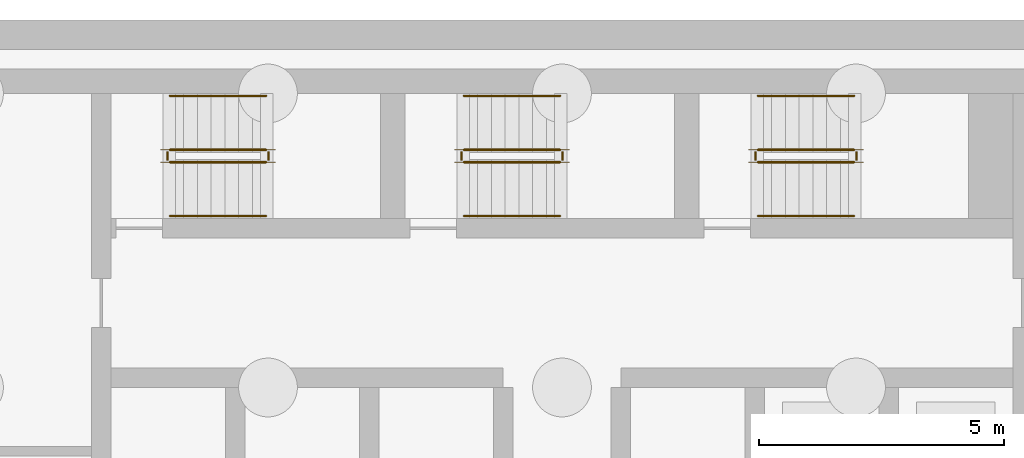
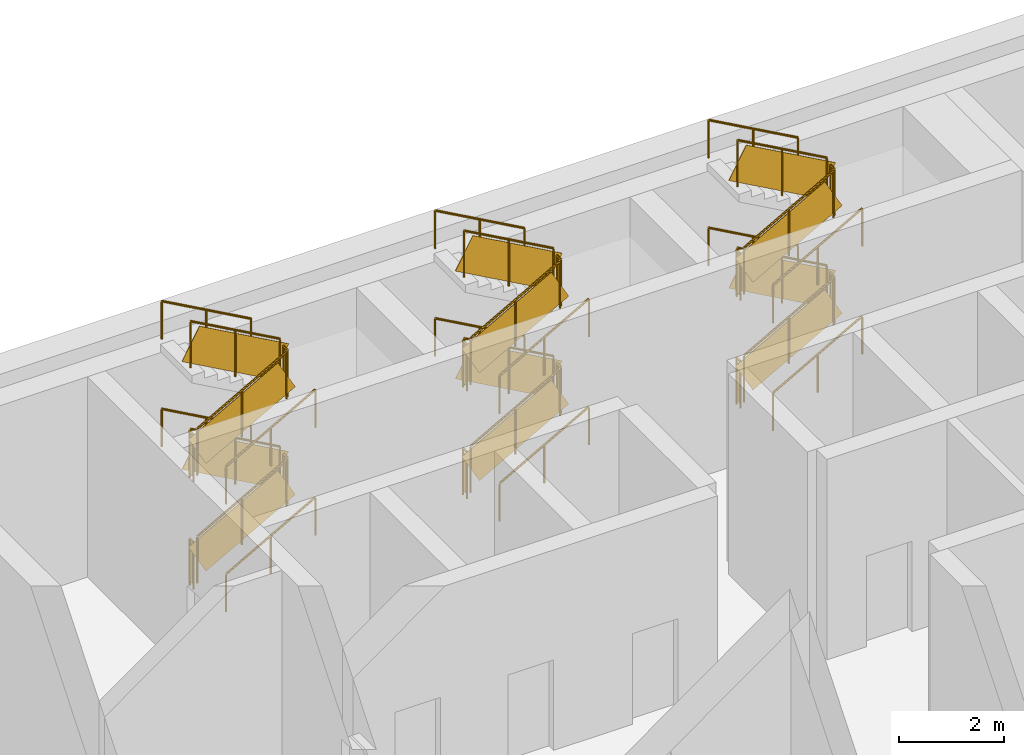
# One storey, part 13 of 14: 36 railings.
"""IFC4 building model written with IfcOpenShell, lengths in metres."""

from ifc_helpers import new_model, si_unit, direction, frame, origin, origin_2d, place, context, subcontext, project, spatial, rectangle, circle, extrude, material, type_object, element, save


model = new_model("IFC4")

# Units and contexts
model_context = context("Model", 3, precision=1e-05, world=origin(), true_north=direction((0.0, 1.0)))
body_context = subcontext(model_context, "Body", "Model", "MODEL_VIEW")
ifc_project = project(units=[si_unit("LENGTHUNIT", "METRE"), si_unit("AREAUNIT", "SQUARE_METRE"), si_unit("VOLUMEUNIT", "CUBIC_METRE"), si_unit("PLANEANGLEUNIT", "RADIAN"), si_unit("MASSUNIT", "GRAM", prefix="KILO")], contexts=[model_context])

# Site, building, storey
site_placement = place(None, origin())
site = spatial("IfcSite", under=ifc_project, at=site_placement, CompositionType="ELEMENT")
building_placement = place(site_placement, origin())
building = spatial("IfcBuilding", under=site, at=building_placement, Name="Vidyagriha Tower", CompositionType="ELEMENT")
storey_placement = place(building_placement, frame((0.0, 0.0, -10.0)))
storey = spatial("IfcBuildingStorey", under=building, at=storey_placement, Name="B2", CompositionType="ELEMENT", Elevation=-10.0)

# Railings
ifc_material_1 = material(Name="Steel ASTM A500 Grade C", Category="steel")
railing_type_1 = type_object("IfcRailingType", Name="Stair guard 1100 mm, steel balustrade", PredefinedType="GUARDRAIL", material=ifc_material_1)
railing_1_placement = place(storey_placement, frame((-8.0, 18.10009765625, 0.15625)))
element("IfcRailing", 1, at=railing_1_placement, inside=storey, type_object=railing_type_1, Name="B2 ST1 stair guard 1", PredefinedType="GUARDRAIL", context=body_context, shape_type="SweptSolid", body=[
    extrude(circle(Radius=0.02392578125, at=origin_2d()), frame((0.0, 0.0, 1.076171875), z_axis=(0.873232148454, 0.0, 0.487304437602), x_axis=(0.0, 1.0, 0.0)), (0.0, 0.0, 1.0), 2.244384765625),
    extrude(circle(Radius=0.02099609375, at=origin_2d()), origin(), (0.0, 0.0, 1.0), 1.052001953125),
    extrude(circle(Radius=0.02099609375, at=origin_2d()), frame((0.97998046875, 0.0, 0.546875)), (0.0, 0.0, 1.0), 1.052001953125),
    extrude(circle(Radius=0.02099609375, at=origin_2d()), frame((1.9599609375, 0.0, 1.09375)), (0.0, 0.0, 1.0), 1.052001953125),
    extrude(rectangle(XDim=0.010009765625, YDim=0.78759765625, at=origin_2d()), frame((0.0, 0.0, 0.551025390625), z_axis=(0.873232148454, 0.0, 0.487304437602), x_axis=(0.0, 1.0, 0.0)), (0.0, 0.0, 1.0), 2.244384765625),
])
railing_2_placement = place(storey_placement, frame((-5.989990234375, 18.14990234375, 1.25)))
element("IfcRailing", 2, at=railing_2_placement, inside=storey, type_object=railing_type_1, Name="B2 ST1 stair guard 2", PredefinedType="GUARDRAIL", context=body_context, shape_type="SweptSolid", body=[
    extrude(circle(Radius=0.02392578125, at=origin_2d()), frame((0.0, 0.0, 1.076171875), z_axis=(0.0, 1.0, 0.0), x_axis=(-1.0, 0.0, 0.0)), (0.0, 0.0, 1.0), 0.150146484375),
    extrude(circle(Radius=0.02099609375, at=origin_2d()), origin(), (0.0, 0.0, 1.0), 1.052001953125),
    extrude(circle(Radius=0.02099609375, at=origin_2d()), frame((0.0, 0.150146484375, 0.0)), (0.0, 0.0, 1.0), 1.052001953125),
    extrude(rectangle(XDim=0.010009765625, YDim=0.902099609375, at=origin_2d()), frame((0.0, 0.0, 0.551025390625), z_axis=(0.0, 1.0, 0.0), x_axis=(-1.0, 0.0, 0.0)), (0.0, 0.0, 1.0), 0.150146484375),
])
railing_3_placement = place(storey_placement, frame((-6.0400390625, 18.35009765625, 1.40625)))
element("IfcRailing", 3, at=railing_3_placement, inside=storey, type_object=railing_type_1, Name="B2 ST1 stair guard 3", PredefinedType="GUARDRAIL", context=body_context, shape_type="SweptSolid", body=[
    extrude(circle(Radius=0.02392578125, at=origin_2d()), frame((0.0, 0.0, 1.076171875), z_axis=(-0.873232148454, 0.0, 0.487304437602), x_axis=(0.0, -1.0, 0.0)), (0.0, 0.0, 1.0), 2.244384765625),
    extrude(circle(Radius=0.02099609375, at=origin_2d()), origin(), (0.0, 0.0, 1.0), 1.052001953125),
    extrude(circle(Radius=0.02099609375, at=origin_2d()), frame((-0.97998046875, 0.0, 0.546875)), (0.0, 0.0, 1.0), 1.052001953125),
    extrude(circle(Radius=0.02099609375, at=origin_2d()), frame((-1.9599609375, 0.0, 1.09375)), (0.0, 0.0, 1.0), 1.052001953125),
    extrude(rectangle(XDim=0.010009765625, YDim=0.78759765625, at=origin_2d()), frame((0.0, 0.0, 0.551025390625), z_axis=(-0.873232148454, 0.0, 0.487304437602), x_axis=(0.0, -1.0, 0.0)), (0.0, 0.0, 1.0), 2.244384765625),
])
railing_4_placement = place(storey_placement, frame((-8.050048828125, 18.14990234375, 2.5)))
element("IfcRailing", 4, at=railing_4_placement, inside=storey, type_object=railing_type_1, Name="B2 ST1 stair guard 4", PredefinedType="GUARDRAIL", context=body_context, shape_type="SweptSolid", body=[
    extrude(circle(Radius=0.02392578125, at=origin_2d()), frame((0.0, 0.0, 1.076171875), z_axis=(0.0, 1.0, 0.0), x_axis=(-1.0, 0.0, 0.0)), (0.0, 0.0, 1.0), 0.150146484375),
    extrude(circle(Radius=0.02099609375, at=origin_2d()), origin(), (0.0, 0.0, 1.0), 1.052001953125),
    extrude(circle(Radius=0.02099609375, at=origin_2d()), frame((0.0, 0.150146484375, 0.0)), (0.0, 0.0, 1.0), 1.052001953125),
    extrude(rectangle(XDim=0.010009765625, YDim=0.902099609375, at=origin_2d()), frame((0.0, 0.0, 0.551025390625), z_axis=(0.0, 1.0, 0.0), x_axis=(-1.0, 0.0, 0.0)), (0.0, 0.0, 1.0), 0.150146484375),
])
railing_5_placement = place(storey_placement, frame((-8.0, 18.10009765625, 2.65625)))
element("IfcRailing", 5, at=railing_5_placement, inside=storey, type_object=railing_type_1, Name="B2 ST1 stair guard 5", PredefinedType="GUARDRAIL", context=body_context, shape_type="SweptSolid", body=[
    extrude(circle(Radius=0.02392578125, at=origin_2d()), frame((0.0, 0.0, 1.076171875), z_axis=(0.873232148454, 0.0, 0.487304437602), x_axis=(0.0, 1.0, 0.0)), (0.0, 0.0, 1.0), 2.244384765625),
    extrude(circle(Radius=0.02099609375, at=origin_2d()), origin(), (0.0, 0.0, 1.0), 1.052001953125),
    extrude(circle(Radius=0.02099609375, at=origin_2d()), frame((0.97998046875, 0.0, 0.546875)), (0.0, 0.0, 1.0), 1.052001953125),
    extrude(circle(Radius=0.02099609375, at=origin_2d()), frame((1.9599609375, 0.0, 1.09375)), (0.0, 0.0, 1.0), 1.052001953125),
    extrude(rectangle(XDim=0.010009765625, YDim=0.78759765625, at=origin_2d()), frame((0.0, 0.0, 0.551025390625), z_axis=(0.873232148454, 0.0, 0.487304437602), x_axis=(0.0, 1.0, 0.0)), (0.0, 0.0, 1.0), 2.244384765625),
])
railing_6_placement = place(storey_placement, frame((-5.989990234375, 18.14990234375, 3.75)))
element("IfcRailing", 6, at=railing_6_placement, inside=storey, type_object=railing_type_1, Name="B2 ST1 stair guard 6", PredefinedType="GUARDRAIL", context=body_context, shape_type="SweptSolid", body=[
    extrude(circle(Radius=0.02392578125, at=origin_2d()), frame((0.0, 0.0, 1.076171875), z_axis=(0.0, 1.0, 0.0), x_axis=(-1.0, 0.0, 0.0)), (0.0, 0.0, 1.0), 0.150146484375),
    extrude(circle(Radius=0.02099609375, at=origin_2d()), origin(), (0.0, 0.0, 1.0), 1.052001953125),
    extrude(circle(Radius=0.02099609375, at=origin_2d()), frame((0.0, 0.150146484375, 0.0)), (0.0, 0.0, 1.0), 1.052001953125),
    extrude(rectangle(XDim=0.010009765625, YDim=0.902099609375, at=origin_2d()), frame((0.0, 0.0, 0.551025390625), z_axis=(0.0, 1.0, 0.0), x_axis=(-1.0, 0.0, 0.0)), (0.0, 0.0, 1.0), 0.150146484375),
])
railing_7_placement = place(storey_placement, frame((-6.0400390625, 18.35009765625, 3.90625)))
element("IfcRailing", 7, at=railing_7_placement, inside=storey, type_object=railing_type_1, Name="B2 ST1 stair guard 7", PredefinedType="GUARDRAIL", context=body_context, shape_type="SweptSolid", body=[
    extrude(circle(Radius=0.02392578125, at=origin_2d()), frame((0.0, 0.0, 1.076171875), z_axis=(-0.873232148454, 0.0, 0.487304437602), x_axis=(0.0, -1.0, 0.0)), (0.0, 0.0, 1.0), 2.244384765625),
    extrude(circle(Radius=0.02099609375, at=origin_2d()), origin(), (0.0, 0.0, 1.0), 1.052001953125),
    extrude(circle(Radius=0.02099609375, at=origin_2d()), frame((-0.97998046875, 0.0, 0.546875)), (0.0, 0.0, 1.0), 1.052001953125),
    extrude(circle(Radius=0.02099609375, at=origin_2d()), frame((-1.9599609375, 0.0, 1.09375)), (0.0, 0.0, 1.0), 1.052001953125),
    extrude(rectangle(XDim=0.010009765625, YDim=0.78759765625, at=origin_2d()), frame((0.0, 0.0, 0.551025390625), z_axis=(-0.873232148454, 0.0, 0.487304437602), x_axis=(0.0, -1.0, 0.0)), (0.0, 0.0, 1.0), 2.244384765625),
])
railing_8_placement = place(storey_placement, frame((-8.050048828125, 18.14990234375, 0.0)))
element("IfcRailing", 8, at=railing_8_placement, inside=storey, type_object=railing_type_1, Name="B2 ST1 stair guard 8", PredefinedType="GUARDRAIL", context=body_context, shape_type="SweptSolid", body=[
    extrude(circle(Radius=0.02392578125, at=origin_2d()), frame((0.0, 0.0, 1.076171875), z_axis=(0.0, 1.0, 0.0), x_axis=(-1.0, 0.0, 0.0)), (0.0, 0.0, 1.0), 0.150146484375),
    extrude(circle(Radius=0.02099609375, at=origin_2d()), origin(), (0.0, 0.0, 1.0), 1.052001953125),
    extrude(circle(Radius=0.02099609375, at=origin_2d()), frame((0.0, 0.150146484375, 0.0)), (0.0, 0.0, 1.0), 1.052001953125),
    extrude(rectangle(XDim=0.010009765625, YDim=0.902099609375, at=origin_2d()), frame((0.0, 0.0, 0.551025390625), z_axis=(0.0, 1.0, 0.0), x_axis=(-1.0, 0.0, 0.0)), (0.0, 0.0, 1.0), 0.150146484375),
])
railing_9_placement = place(storey_placement, frame((-2.0, 18.10009765625, 0.15625)))
element("IfcRailing", 9, at=railing_9_placement, inside=storey, type_object=railing_type_1, Name="B2 ST2 stair guard 1", PredefinedType="GUARDRAIL", context=body_context, shape_type="SweptSolid", body=[
    extrude(circle(Radius=0.02392578125, at=origin_2d()), frame((0.0, 0.0, 1.076171875), z_axis=(0.873232148454, 0.0, 0.487304437602), x_axis=(0.0, 1.0, 0.0)), (0.0, 0.0, 1.0), 2.244384765625),
    extrude(circle(Radius=0.02099609375, at=origin_2d()), origin(), (0.0, 0.0, 1.0), 1.052001953125),
    extrude(circle(Radius=0.02099609375, at=origin_2d()), frame((0.97998046875, 0.0, 0.546875)), (0.0, 0.0, 1.0), 1.052001953125),
    extrude(circle(Radius=0.02099609375, at=origin_2d()), frame((1.9599609375, 0.0, 1.09375)), (0.0, 0.0, 1.0), 1.052001953125),
    extrude(rectangle(XDim=0.010009765625, YDim=0.78759765625, at=origin_2d()), frame((0.0, 0.0, 0.551025390625), z_axis=(0.873232148454, 0.0, 0.487304437602), x_axis=(0.0, 1.0, 0.0)), (0.0, 0.0, 1.0), 2.244384765625),
])
railing_10_placement = place(storey_placement, frame((0.010009765625, 18.14990234375, 1.25)))
element("IfcRailing", 10, at=railing_10_placement, inside=storey, type_object=railing_type_1, Name="B2 ST2 stair guard 2", PredefinedType="GUARDRAIL", context=body_context, shape_type="SweptSolid", body=[
    extrude(circle(Radius=0.02392578125, at=origin_2d()), frame((0.0, 0.0, 1.076171875), z_axis=(0.0, 1.0, 0.0), x_axis=(-1.0, 0.0, 0.0)), (0.0, 0.0, 1.0), 0.150146484375),
    extrude(circle(Radius=0.02099609375, at=origin_2d()), origin(), (0.0, 0.0, 1.0), 1.052001953125),
    extrude(circle(Radius=0.02099609375, at=origin_2d()), frame((0.0, 0.150146484375, 0.0)), (0.0, 0.0, 1.0), 1.052001953125),
    extrude(rectangle(XDim=0.010009765625, YDim=0.902099609375, at=origin_2d()), frame((0.0, 0.0, 0.551025390625), z_axis=(0.0, 1.0, 0.0), x_axis=(-1.0, 0.0, 0.0)), (0.0, 0.0, 1.0), 0.150146484375),
])
railing_11_placement = place(storey_placement, frame((-0.0400390625, 18.35009765625, 1.40625)))
element("IfcRailing", 11, at=railing_11_placement, inside=storey, type_object=railing_type_1, Name="B2 ST2 stair guard 3", PredefinedType="GUARDRAIL", context=body_context, shape_type="SweptSolid", body=[
    extrude(circle(Radius=0.02392578125, at=origin_2d()), frame((0.0, 0.0, 1.076171875), z_axis=(-0.873232148454, 0.0, 0.487304437602), x_axis=(0.0, -1.0, 0.0)), (0.0, 0.0, 1.0), 2.244384765625),
    extrude(circle(Radius=0.02099609375, at=origin_2d()), origin(), (0.0, 0.0, 1.0), 1.052001953125),
    extrude(circle(Radius=0.02099609375, at=origin_2d()), frame((-0.97998046875, 0.0, 0.546875)), (0.0, 0.0, 1.0), 1.052001953125),
    extrude(circle(Radius=0.02099609375, at=origin_2d()), frame((-1.9599609375, 0.0, 1.09375)), (0.0, 0.0, 1.0), 1.052001953125),
    extrude(rectangle(XDim=0.010009765625, YDim=0.78759765625, at=origin_2d()), frame((0.0, 0.0, 0.551025390625), z_axis=(-0.873232148454, 0.0, 0.487304437602), x_axis=(0.0, -1.0, 0.0)), (0.0, 0.0, 1.0), 2.244384765625),
])
railing_12_placement = place(storey_placement, frame((-2.050048828125, 18.14990234375, 2.5)))
element("IfcRailing", 12, at=railing_12_placement, inside=storey, type_object=railing_type_1, Name="B2 ST2 stair guard 4", PredefinedType="GUARDRAIL", context=body_context, shape_type="SweptSolid", body=[
    extrude(circle(Radius=0.02392578125, at=origin_2d()), frame((0.0, 0.0, 1.076171875), z_axis=(0.0, 1.0, 0.0), x_axis=(-1.0, 0.0, 0.0)), (0.0, 0.0, 1.0), 0.150146484375),
    extrude(circle(Radius=0.02099609375, at=origin_2d()), origin(), (0.0, 0.0, 1.0), 1.052001953125),
    extrude(circle(Radius=0.02099609375, at=origin_2d()), frame((0.0, 0.150146484375, 0.0)), (0.0, 0.0, 1.0), 1.052001953125),
    extrude(rectangle(XDim=0.010009765625, YDim=0.902099609375, at=origin_2d()), frame((0.0, 0.0, 0.551025390625), z_axis=(0.0, 1.0, 0.0), x_axis=(-1.0, 0.0, 0.0)), (0.0, 0.0, 1.0), 0.150146484375),
])
railing_13_placement = place(storey_placement, frame((-2.0, 18.10009765625, 2.65625)))
element("IfcRailing", 13, at=railing_13_placement, inside=storey, type_object=railing_type_1, Name="B2 ST2 stair guard 5", PredefinedType="GUARDRAIL", context=body_context, shape_type="SweptSolid", body=[
    extrude(circle(Radius=0.02392578125, at=origin_2d()), frame((0.0, 0.0, 1.076171875), z_axis=(0.873232148454, 0.0, 0.487304437602), x_axis=(0.0, 1.0, 0.0)), (0.0, 0.0, 1.0), 2.244384765625),
    extrude(circle(Radius=0.02099609375, at=origin_2d()), origin(), (0.0, 0.0, 1.0), 1.052001953125),
    extrude(circle(Radius=0.02099609375, at=origin_2d()), frame((0.97998046875, 0.0, 0.546875)), (0.0, 0.0, 1.0), 1.052001953125),
    extrude(circle(Radius=0.02099609375, at=origin_2d()), frame((1.9599609375, 0.0, 1.09375)), (0.0, 0.0, 1.0), 1.052001953125),
    extrude(rectangle(XDim=0.010009765625, YDim=0.78759765625, at=origin_2d()), frame((0.0, 0.0, 0.551025390625), z_axis=(0.873232148454, 0.0, 0.487304437602), x_axis=(0.0, 1.0, 0.0)), (0.0, 0.0, 1.0), 2.244384765625),
])
railing_14_placement = place(storey_placement, frame((0.010009765625, 18.14990234375, 3.75)))
element("IfcRailing", 14, at=railing_14_placement, inside=storey, type_object=railing_type_1, Name="B2 ST2 stair guard 6", PredefinedType="GUARDRAIL", context=body_context, shape_type="SweptSolid", body=[
    extrude(circle(Radius=0.02392578125, at=origin_2d()), frame((0.0, 0.0, 1.076171875), z_axis=(0.0, 1.0, 0.0), x_axis=(-1.0, 0.0, 0.0)), (0.0, 0.0, 1.0), 0.150146484375),
    extrude(circle(Radius=0.02099609375, at=origin_2d()), origin(), (0.0, 0.0, 1.0), 1.052001953125),
    extrude(circle(Radius=0.02099609375, at=origin_2d()), frame((0.0, 0.150146484375, 0.0)), (0.0, 0.0, 1.0), 1.052001953125),
    extrude(rectangle(XDim=0.010009765625, YDim=0.902099609375, at=origin_2d()), frame((0.0, 0.0, 0.551025390625), z_axis=(0.0, 1.0, 0.0), x_axis=(-1.0, 0.0, 0.0)), (0.0, 0.0, 1.0), 0.150146484375),
])
railing_15_placement = place(storey_placement, frame((-0.0400390625, 18.35009765625, 3.90625)))
element("IfcRailing", 15, at=railing_15_placement, inside=storey, type_object=railing_type_1, Name="B2 ST2 stair guard 7", PredefinedType="GUARDRAIL", context=body_context, shape_type="SweptSolid", body=[
    extrude(circle(Radius=0.02392578125, at=origin_2d()), frame((0.0, 0.0, 1.076171875), z_axis=(-0.873232148454, 0.0, 0.487304437602), x_axis=(0.0, -1.0, 0.0)), (0.0, 0.0, 1.0), 2.244384765625),
    extrude(circle(Radius=0.02099609375, at=origin_2d()), origin(), (0.0, 0.0, 1.0), 1.052001953125),
    extrude(circle(Radius=0.02099609375, at=origin_2d()), frame((-0.97998046875, 0.0, 0.546875)), (0.0, 0.0, 1.0), 1.052001953125),
    extrude(circle(Radius=0.02099609375, at=origin_2d()), frame((-1.9599609375, 0.0, 1.09375)), (0.0, 0.0, 1.0), 1.052001953125),
    extrude(rectangle(XDim=0.010009765625, YDim=0.78759765625, at=origin_2d()), frame((0.0, 0.0, 0.551025390625), z_axis=(-0.873232148454, 0.0, 0.487304437602), x_axis=(0.0, -1.0, 0.0)), (0.0, 0.0, 1.0), 2.244384765625),
])
railing_16_placement = place(storey_placement, frame((-2.050048828125, 18.14990234375, 0.0)))
element("IfcRailing", 16, at=railing_16_placement, inside=storey, type_object=railing_type_1, Name="B2 ST2 stair guard 8", PredefinedType="GUARDRAIL", context=body_context, shape_type="SweptSolid", body=[
    extrude(circle(Radius=0.02392578125, at=origin_2d()), frame((0.0, 0.0, 1.076171875), z_axis=(0.0, 1.0, 0.0), x_axis=(-1.0, 0.0, 0.0)), (0.0, 0.0, 1.0), 0.150146484375),
    extrude(circle(Radius=0.02099609375, at=origin_2d()), origin(), (0.0, 0.0, 1.0), 1.052001953125),
    extrude(circle(Radius=0.02099609375, at=origin_2d()), frame((0.0, 0.150146484375, 0.0)), (0.0, 0.0, 1.0), 1.052001953125),
    extrude(rectangle(XDim=0.010009765625, YDim=0.902099609375, at=origin_2d()), frame((0.0, 0.0, 0.551025390625), z_axis=(0.0, 1.0, 0.0), x_axis=(-1.0, 0.0, 0.0)), (0.0, 0.0, 1.0), 0.150146484375),
])
railing_17_placement = place(storey_placement, frame((4.0, 18.10009765625, 0.15625)))
element("IfcRailing", 17, at=railing_17_placement, inside=storey, type_object=railing_type_1, Name="B2 ST3 stair guard 1", PredefinedType="GUARDRAIL", context=body_context, shape_type="SweptSolid", body=[
    extrude(circle(Radius=0.02392578125, at=origin_2d()), frame((0.0, 0.0, 1.076171875), z_axis=(0.873232148454, 0.0, 0.487304437602), x_axis=(0.0, 1.0, 0.0)), (0.0, 0.0, 1.0), 2.244384765625),
    extrude(circle(Radius=0.02099609375, at=origin_2d()), origin(), (0.0, 0.0, 1.0), 1.052001953125),
    extrude(circle(Radius=0.02099609375, at=origin_2d()), frame((0.97998046875, 0.0, 0.546875)), (0.0, 0.0, 1.0), 1.052001953125),
    extrude(circle(Radius=0.02099609375, at=origin_2d()), frame((1.9599609375, 0.0, 1.09375)), (0.0, 0.0, 1.0), 1.052001953125),
    extrude(rectangle(XDim=0.010009765625, YDim=0.78759765625, at=origin_2d()), frame((0.0, 0.0, 0.551025390625), z_axis=(0.873232148454, 0.0, 0.487304437602), x_axis=(0.0, 1.0, 0.0)), (0.0, 0.0, 1.0), 2.244384765625),
])
railing_18_placement = place(storey_placement, frame((6.010009765625, 18.14990234375, 1.25)))
element("IfcRailing", 18, at=railing_18_placement, inside=storey, type_object=railing_type_1, Name="B2 ST3 stair guard 2", PredefinedType="GUARDRAIL", context=body_context, shape_type="SweptSolid", body=[
    extrude(circle(Radius=0.02392578125, at=origin_2d()), frame((0.0, 0.0, 1.076171875), z_axis=(0.0, 1.0, 0.0), x_axis=(-1.0, 0.0, 0.0)), (0.0, 0.0, 1.0), 0.150146484375),
    extrude(circle(Radius=0.02099609375, at=origin_2d()), origin(), (0.0, 0.0, 1.0), 1.052001953125),
    extrude(circle(Radius=0.02099609375, at=origin_2d()), frame((0.0, 0.150146484375, 0.0)), (0.0, 0.0, 1.0), 1.052001953125),
    extrude(rectangle(XDim=0.010009765625, YDim=0.902099609375, at=origin_2d()), frame((0.0, 0.0, 0.551025390625), z_axis=(0.0, 1.0, 0.0), x_axis=(-1.0, 0.0, 0.0)), (0.0, 0.0, 1.0), 0.150146484375),
])
railing_19_placement = place(storey_placement, frame((5.9599609375, 18.35009765625, 1.40625)))
element("IfcRailing", 19, at=railing_19_placement, inside=storey, type_object=railing_type_1, Name="B2 ST3 stair guard 3", PredefinedType="GUARDRAIL", context=body_context, shape_type="SweptSolid", body=[
    extrude(circle(Radius=0.02392578125, at=origin_2d()), frame((0.0, 0.0, 1.076171875), z_axis=(-0.873232148454, 0.0, 0.487304437602), x_axis=(0.0, -1.0, 0.0)), (0.0, 0.0, 1.0), 2.244384765625),
    extrude(circle(Radius=0.02099609375, at=origin_2d()), origin(), (0.0, 0.0, 1.0), 1.052001953125),
    extrude(circle(Radius=0.02099609375, at=origin_2d()), frame((-0.97998046875, 0.0, 0.546875)), (0.0, 0.0, 1.0), 1.052001953125),
    extrude(circle(Radius=0.02099609375, at=origin_2d()), frame((-1.9599609375, 0.0, 1.09375)), (0.0, 0.0, 1.0), 1.052001953125),
    extrude(rectangle(XDim=0.010009765625, YDim=0.78759765625, at=origin_2d()), frame((0.0, 0.0, 0.551025390625), z_axis=(-0.873232148454, 0.0, 0.487304437602), x_axis=(0.0, -1.0, 0.0)), (0.0, 0.0, 1.0), 2.244384765625),
])
railing_20_placement = place(storey_placement, frame((3.949951171875, 18.14990234375, 2.5)))
element("IfcRailing", 20, at=railing_20_placement, inside=storey, type_object=railing_type_1, Name="B2 ST3 stair guard 4", PredefinedType="GUARDRAIL", context=body_context, shape_type="SweptSolid", body=[
    extrude(circle(Radius=0.02392578125, at=origin_2d()), frame((0.0, 0.0, 1.076171875), z_axis=(0.0, 1.0, 0.0), x_axis=(-1.0, 0.0, 0.0)), (0.0, 0.0, 1.0), 0.150146484375),
    extrude(circle(Radius=0.02099609375, at=origin_2d()), origin(), (0.0, 0.0, 1.0), 1.052001953125),
    extrude(circle(Radius=0.02099609375, at=origin_2d()), frame((0.0, 0.150146484375, 0.0)), (0.0, 0.0, 1.0), 1.052001953125),
    extrude(rectangle(XDim=0.010009765625, YDim=0.902099609375, at=origin_2d()), frame((0.0, 0.0, 0.551025390625), z_axis=(0.0, 1.0, 0.0), x_axis=(-1.0, 0.0, 0.0)), (0.0, 0.0, 1.0), 0.150146484375),
])
railing_21_placement = place(storey_placement, frame((4.0, 18.10009765625, 2.65625)))
element("IfcRailing", 21, at=railing_21_placement, inside=storey, type_object=railing_type_1, Name="B2 ST3 stair guard 5", PredefinedType="GUARDRAIL", context=body_context, shape_type="SweptSolid", body=[
    extrude(circle(Radius=0.02392578125, at=origin_2d()), frame((0.0, 0.0, 1.076171875), z_axis=(0.873232148454, 0.0, 0.487304437602), x_axis=(0.0, 1.0, 0.0)), (0.0, 0.0, 1.0), 2.244384765625),
    extrude(circle(Radius=0.02099609375, at=origin_2d()), origin(), (0.0, 0.0, 1.0), 1.052001953125),
    extrude(circle(Radius=0.02099609375, at=origin_2d()), frame((0.97998046875, 0.0, 0.546875)), (0.0, 0.0, 1.0), 1.052001953125),
    extrude(circle(Radius=0.02099609375, at=origin_2d()), frame((1.9599609375, 0.0, 1.09375)), (0.0, 0.0, 1.0), 1.052001953125),
    extrude(rectangle(XDim=0.010009765625, YDim=0.78759765625, at=origin_2d()), frame((0.0, 0.0, 0.551025390625), z_axis=(0.873232148454, 0.0, 0.487304437602), x_axis=(0.0, 1.0, 0.0)), (0.0, 0.0, 1.0), 2.244384765625),
])
railing_22_placement = place(storey_placement, frame((6.010009765625, 18.14990234375, 3.75)))
element("IfcRailing", 22, at=railing_22_placement, inside=storey, type_object=railing_type_1, Name="B2 ST3 stair guard 6", PredefinedType="GUARDRAIL", context=body_context, shape_type="SweptSolid", body=[
    extrude(circle(Radius=0.02392578125, at=origin_2d()), frame((0.0, 0.0, 1.076171875), z_axis=(0.0, 1.0, 0.0), x_axis=(-1.0, 0.0, 0.0)), (0.0, 0.0, 1.0), 0.150146484375),
    extrude(circle(Radius=0.02099609375, at=origin_2d()), origin(), (0.0, 0.0, 1.0), 1.052001953125),
    extrude(circle(Radius=0.02099609375, at=origin_2d()), frame((0.0, 0.150146484375, 0.0)), (0.0, 0.0, 1.0), 1.052001953125),
    extrude(rectangle(XDim=0.010009765625, YDim=0.902099609375, at=origin_2d()), frame((0.0, 0.0, 0.551025390625), z_axis=(0.0, 1.0, 0.0), x_axis=(-1.0, 0.0, 0.0)), (0.0, 0.0, 1.0), 0.150146484375),
])
railing_23_placement = place(storey_placement, frame((5.9599609375, 18.35009765625, 3.90625)))
element("IfcRailing", 23, at=railing_23_placement, inside=storey, type_object=railing_type_1, Name="B2 ST3 stair guard 7", PredefinedType="GUARDRAIL", context=body_context, shape_type="SweptSolid", body=[
    extrude(circle(Radius=0.02392578125, at=origin_2d()), frame((0.0, 0.0, 1.076171875), z_axis=(-0.873232148454, 0.0, 0.487304437602), x_axis=(0.0, -1.0, 0.0)), (0.0, 0.0, 1.0), 2.244384765625),
    extrude(circle(Radius=0.02099609375, at=origin_2d()), origin(), (0.0, 0.0, 1.0), 1.052001953125),
    extrude(circle(Radius=0.02099609375, at=origin_2d()), frame((-0.97998046875, 0.0, 0.546875)), (0.0, 0.0, 1.0), 1.052001953125),
    extrude(circle(Radius=0.02099609375, at=origin_2d()), frame((-1.9599609375, 0.0, 1.09375)), (0.0, 0.0, 1.0), 1.052001953125),
    extrude(rectangle(XDim=0.010009765625, YDim=0.78759765625, at=origin_2d()), frame((0.0, 0.0, 0.551025390625), z_axis=(-0.873232148454, 0.0, 0.487304437602), x_axis=(0.0, -1.0, 0.0)), (0.0, 0.0, 1.0), 2.244384765625),
])
railing_24_placement = place(storey_placement, frame((3.949951171875, 18.14990234375, 0.0)))
element("IfcRailing", 24, at=railing_24_placement, inside=storey, type_object=railing_type_1, Name="B2 ST3 stair guard 8", PredefinedType="GUARDRAIL", context=body_context, shape_type="SweptSolid", body=[
    extrude(circle(Radius=0.02392578125, at=origin_2d()), frame((0.0, 0.0, 1.076171875), z_axis=(0.0, 1.0, 0.0), x_axis=(-1.0, 0.0, 0.0)), (0.0, 0.0, 1.0), 0.150146484375),
    extrude(circle(Radius=0.02099609375, at=origin_2d()), origin(), (0.0, 0.0, 1.0), 1.052001953125),
    extrude(circle(Radius=0.02099609375, at=origin_2d()), frame((0.0, 0.150146484375, 0.0)), (0.0, 0.0, 1.0), 1.052001953125),
    extrude(rectangle(XDim=0.010009765625, YDim=0.902099609375, at=origin_2d()), frame((0.0, 0.0, 0.551025390625), z_axis=(0.0, 1.0, 0.0), x_axis=(-1.0, 0.0, 0.0)), (0.0, 0.0, 1.0), 0.150146484375),
])
ifc_material_2 = material(Name="Steel ASTM A500 Grade C", Category="steel")
railing_type_2 = type_object("IfcRailingType", Name="Stair handrail 900 mm, steel", PredefinedType="HANDRAIL", material=ifc_material_2)
railing_25_placement = place(storey_placement, frame((-8.0, 17.0, 0.15625)))
element("IfcRailing", 25, at=railing_25_placement, inside=storey, type_object=railing_type_2, Name="B2 ST1 stair handrail 1", PredefinedType="HANDRAIL", context=body_context, shape_type="SweptSolid", body=[
    extrude(circle(Radius=0.02392578125, at=origin_2d()), frame((0.0, 0.0, 0.8759765625), z_axis=(0.873232148454, 0.0, 0.487304437602), x_axis=(0.0, 1.0, 0.0)), (0.0, 0.0, 1.0), 2.244384765625),
    extrude(circle(Radius=0.02099609375, at=origin_2d()), origin(), (0.0, 0.0, 1.0), 0.851806640625),
    extrude(circle(Radius=0.02099609375, at=origin_2d()), frame((0.97998046875, 0.0, 0.546875)), (0.0, 0.0, 1.0), 0.851806640625),
    extrude(circle(Radius=0.02099609375, at=origin_2d()), frame((1.9599609375, 0.0, 1.09375)), (0.0, 0.0, 1.0), 0.851806640625),
])
railing_26_placement = place(storey_placement, frame((-6.0400390625, 19.449951171875, 1.40625)))
element("IfcRailing", 26, at=railing_26_placement, inside=storey, type_object=railing_type_2, Name="B2 ST1 stair handrail 2", PredefinedType="HANDRAIL", context=body_context, shape_type="SweptSolid", body=[
    extrude(circle(Radius=0.02392578125, at=origin_2d()), frame((0.0, 0.0, 0.8759765625), z_axis=(-0.873232148454, 0.0, 0.487304437602), x_axis=(0.0, -1.0, 0.0)), (0.0, 0.0, 1.0), 2.244384765625),
    extrude(circle(Radius=0.02099609375, at=origin_2d()), origin(), (0.0, 0.0, 1.0), 0.851806640625),
    extrude(circle(Radius=0.02099609375, at=origin_2d()), frame((-0.97998046875, 0.0, 0.546875)), (0.0, 0.0, 1.0), 0.851806640625),
    extrude(circle(Radius=0.02099609375, at=origin_2d()), frame((-1.9599609375, 0.0, 1.09375)), (0.0, 0.0, 1.0), 0.851806640625),
])
railing_27_placement = place(storey_placement, frame((-8.0, 17.0, 2.65625)))
element("IfcRailing", 27, at=railing_27_placement, inside=storey, type_object=railing_type_2, Name="B2 ST1 stair handrail 3", PredefinedType="HANDRAIL", context=body_context, shape_type="SweptSolid", body=[
    extrude(circle(Radius=0.02392578125, at=origin_2d()), frame((0.0, 0.0, 0.8759765625), z_axis=(0.873232148454, 0.0, 0.487304437602), x_axis=(0.0, 1.0, 0.0)), (0.0, 0.0, 1.0), 2.244384765625),
    extrude(circle(Radius=0.02099609375, at=origin_2d()), origin(), (0.0, 0.0, 1.0), 0.851806640625),
    extrude(circle(Radius=0.02099609375, at=origin_2d()), frame((0.97998046875, 0.0, 0.546875)), (0.0, 0.0, 1.0), 0.851806640625),
    extrude(circle(Radius=0.02099609375, at=origin_2d()), frame((1.9599609375, 0.0, 1.09375)), (0.0, 0.0, 1.0), 0.851806640625),
])
railing_28_placement = place(storey_placement, frame((-6.0400390625, 19.449951171875, 3.90625)))
element("IfcRailing", 28, at=railing_28_placement, inside=storey, type_object=railing_type_2, Name="B2 ST1 stair handrail 4", PredefinedType="HANDRAIL", context=body_context, shape_type="SweptSolid", body=[
    extrude(circle(Radius=0.02392578125, at=origin_2d()), frame((0.0, 0.0, 0.8759765625), z_axis=(-0.873232148454, 0.0, 0.487304437602), x_axis=(0.0, -1.0, 0.0)), (0.0, 0.0, 1.0), 2.244384765625),
    extrude(circle(Radius=0.02099609375, at=origin_2d()), origin(), (0.0, 0.0, 1.0), 0.851806640625),
    extrude(circle(Radius=0.02099609375, at=origin_2d()), frame((-0.97998046875, 0.0, 0.546875)), (0.0, 0.0, 1.0), 0.851806640625),
    extrude(circle(Radius=0.02099609375, at=origin_2d()), frame((-1.9599609375, 0.0, 1.09375)), (0.0, 0.0, 1.0), 0.851806640625),
])
railing_29_placement = place(storey_placement, frame((-2.0, 17.0, 0.15625)))
element("IfcRailing", 29, at=railing_29_placement, inside=storey, type_object=railing_type_2, Name="B2 ST2 stair handrail 1", PredefinedType="HANDRAIL", context=body_context, shape_type="SweptSolid", body=[
    extrude(circle(Radius=0.02392578125, at=origin_2d()), frame((0.0, 0.0, 0.8759765625), z_axis=(0.873232148454, 0.0, 0.487304437602), x_axis=(0.0, 1.0, 0.0)), (0.0, 0.0, 1.0), 2.244384765625),
    extrude(circle(Radius=0.02099609375, at=origin_2d()), origin(), (0.0, 0.0, 1.0), 0.851806640625),
    extrude(circle(Radius=0.02099609375, at=origin_2d()), frame((0.97998046875, 0.0, 0.546875)), (0.0, 0.0, 1.0), 0.851806640625),
    extrude(circle(Radius=0.02099609375, at=origin_2d()), frame((1.9599609375, 0.0, 1.09375)), (0.0, 0.0, 1.0), 0.851806640625),
])
railing_30_placement = place(storey_placement, frame((-0.0400390625, 19.449951171875, 1.40625)))
element("IfcRailing", 30, at=railing_30_placement, inside=storey, type_object=railing_type_2, Name="B2 ST2 stair handrail 2", PredefinedType="HANDRAIL", context=body_context, shape_type="SweptSolid", body=[
    extrude(circle(Radius=0.02392578125, at=origin_2d()), frame((0.0, 0.0, 0.8759765625), z_axis=(-0.873232148454, 0.0, 0.487304437602), x_axis=(0.0, -1.0, 0.0)), (0.0, 0.0, 1.0), 2.244384765625),
    extrude(circle(Radius=0.02099609375, at=origin_2d()), origin(), (0.0, 0.0, 1.0), 0.851806640625),
    extrude(circle(Radius=0.02099609375, at=origin_2d()), frame((-0.97998046875, 0.0, 0.546875)), (0.0, 0.0, 1.0), 0.851806640625),
    extrude(circle(Radius=0.02099609375, at=origin_2d()), frame((-1.9599609375, 0.0, 1.09375)), (0.0, 0.0, 1.0), 0.851806640625),
])
railing_31_placement = place(storey_placement, frame((-2.0, 17.0, 2.65625)))
element("IfcRailing", 31, at=railing_31_placement, inside=storey, type_object=railing_type_2, Name="B2 ST2 stair handrail 3", PredefinedType="HANDRAIL", context=body_context, shape_type="SweptSolid", body=[
    extrude(circle(Radius=0.02392578125, at=origin_2d()), frame((0.0, 0.0, 0.8759765625), z_axis=(0.873232148454, 0.0, 0.487304437602), x_axis=(0.0, 1.0, 0.0)), (0.0, 0.0, 1.0), 2.244384765625),
    extrude(circle(Radius=0.02099609375, at=origin_2d()), origin(), (0.0, 0.0, 1.0), 0.851806640625),
    extrude(circle(Radius=0.02099609375, at=origin_2d()), frame((0.97998046875, 0.0, 0.546875)), (0.0, 0.0, 1.0), 0.851806640625),
    extrude(circle(Radius=0.02099609375, at=origin_2d()), frame((1.9599609375, 0.0, 1.09375)), (0.0, 0.0, 1.0), 0.851806640625),
])
railing_32_placement = place(storey_placement, frame((-0.0400390625, 19.449951171875, 3.90625)))
element("IfcRailing", 32, at=railing_32_placement, inside=storey, type_object=railing_type_2, Name="B2 ST2 stair handrail 4", PredefinedType="HANDRAIL", context=body_context, shape_type="SweptSolid", body=[
    extrude(circle(Radius=0.02392578125, at=origin_2d()), frame((0.0, 0.0, 0.8759765625), z_axis=(-0.873232148454, 0.0, 0.487304437602), x_axis=(0.0, -1.0, 0.0)), (0.0, 0.0, 1.0), 2.244384765625),
    extrude(circle(Radius=0.02099609375, at=origin_2d()), origin(), (0.0, 0.0, 1.0), 0.851806640625),
    extrude(circle(Radius=0.02099609375, at=origin_2d()), frame((-0.97998046875, 0.0, 0.546875)), (0.0, 0.0, 1.0), 0.851806640625),
    extrude(circle(Radius=0.02099609375, at=origin_2d()), frame((-1.9599609375, 0.0, 1.09375)), (0.0, 0.0, 1.0), 0.851806640625),
])
railing_33_placement = place(storey_placement, frame((4.0, 17.0, 0.15625)))
element("IfcRailing", 33, at=railing_33_placement, inside=storey, type_object=railing_type_2, Name="B2 ST3 stair handrail 1", PredefinedType="HANDRAIL", context=body_context, shape_type="SweptSolid", body=[
    extrude(circle(Radius=0.02392578125, at=origin_2d()), frame((0.0, 0.0, 0.8759765625), z_axis=(0.873232148454, 0.0, 0.487304437602), x_axis=(0.0, 1.0, 0.0)), (0.0, 0.0, 1.0), 2.244384765625),
    extrude(circle(Radius=0.02099609375, at=origin_2d()), origin(), (0.0, 0.0, 1.0), 0.851806640625),
    extrude(circle(Radius=0.02099609375, at=origin_2d()), frame((0.97998046875, 0.0, 0.546875)), (0.0, 0.0, 1.0), 0.851806640625),
    extrude(circle(Radius=0.02099609375, at=origin_2d()), frame((1.9599609375, 0.0, 1.09375)), (0.0, 0.0, 1.0), 0.851806640625),
])
railing_34_placement = place(storey_placement, frame((5.9599609375, 19.449951171875, 1.40625)))
element("IfcRailing", 34, at=railing_34_placement, inside=storey, type_object=railing_type_2, Name="B2 ST3 stair handrail 2", PredefinedType="HANDRAIL", context=body_context, shape_type="SweptSolid", body=[
    extrude(circle(Radius=0.02392578125, at=origin_2d()), frame((0.0, 0.0, 0.8759765625), z_axis=(-0.873232148454, 0.0, 0.487304437602), x_axis=(0.0, -1.0, 0.0)), (0.0, 0.0, 1.0), 2.244384765625),
    extrude(circle(Radius=0.02099609375, at=origin_2d()), origin(), (0.0, 0.0, 1.0), 0.851806640625),
    extrude(circle(Radius=0.02099609375, at=origin_2d()), frame((-0.97998046875, 0.0, 0.546875)), (0.0, 0.0, 1.0), 0.851806640625),
    extrude(circle(Radius=0.02099609375, at=origin_2d()), frame((-1.9599609375, 0.0, 1.09375)), (0.0, 0.0, 1.0), 0.851806640625),
])
railing_35_placement = place(storey_placement, frame((4.0, 17.0, 2.65625)))
element("IfcRailing", 35, at=railing_35_placement, inside=storey, type_object=railing_type_2, Name="B2 ST3 stair handrail 3", PredefinedType="HANDRAIL", context=body_context, shape_type="SweptSolid", body=[
    extrude(circle(Radius=0.02392578125, at=origin_2d()), frame((0.0, 0.0, 0.8759765625), z_axis=(0.873232148454, 0.0, 0.487304437602), x_axis=(0.0, 1.0, 0.0)), (0.0, 0.0, 1.0), 2.244384765625),
    extrude(circle(Radius=0.02099609375, at=origin_2d()), origin(), (0.0, 0.0, 1.0), 0.851806640625),
    extrude(circle(Radius=0.02099609375, at=origin_2d()), frame((0.97998046875, 0.0, 0.546875)), (0.0, 0.0, 1.0), 0.851806640625),
    extrude(circle(Radius=0.02099609375, at=origin_2d()), frame((1.9599609375, 0.0, 1.09375)), (0.0, 0.0, 1.0), 0.851806640625),
])
railing_36_placement = place(storey_placement, frame((5.9599609375, 19.449951171875, 3.90625)))
element("IfcRailing", 36, at=railing_36_placement, inside=storey, type_object=railing_type_2, Name="B2 ST3 stair handrail 4", PredefinedType="HANDRAIL", context=body_context, shape_type="SweptSolid", body=[
    extrude(circle(Radius=0.02392578125, at=origin_2d()), frame((0.0, 0.0, 0.8759765625), z_axis=(-0.873232148454, 0.0, 0.487304437602), x_axis=(0.0, -1.0, 0.0)), (0.0, 0.0, 1.0), 2.244384765625),
    extrude(circle(Radius=0.02099609375, at=origin_2d()), origin(), (0.0, 0.0, 1.0), 0.851806640625),
    extrude(circle(Radius=0.02099609375, at=origin_2d()), frame((-0.97998046875, 0.0, 0.546875)), (0.0, 0.0, 1.0), 0.851806640625),
    extrude(circle(Radius=0.02099609375, at=origin_2d()), frame((-1.9599609375, 0.0, 1.09375)), (0.0, 0.0, 1.0), 0.851806640625),
])

save(model, "model.ifc")
